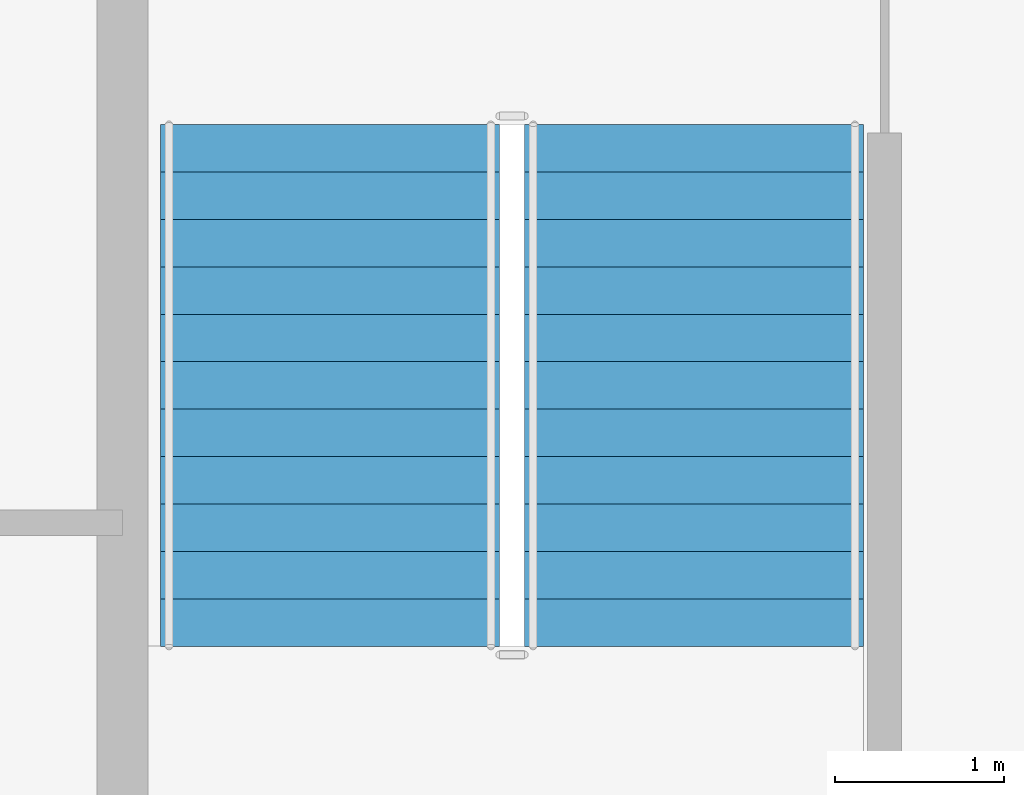
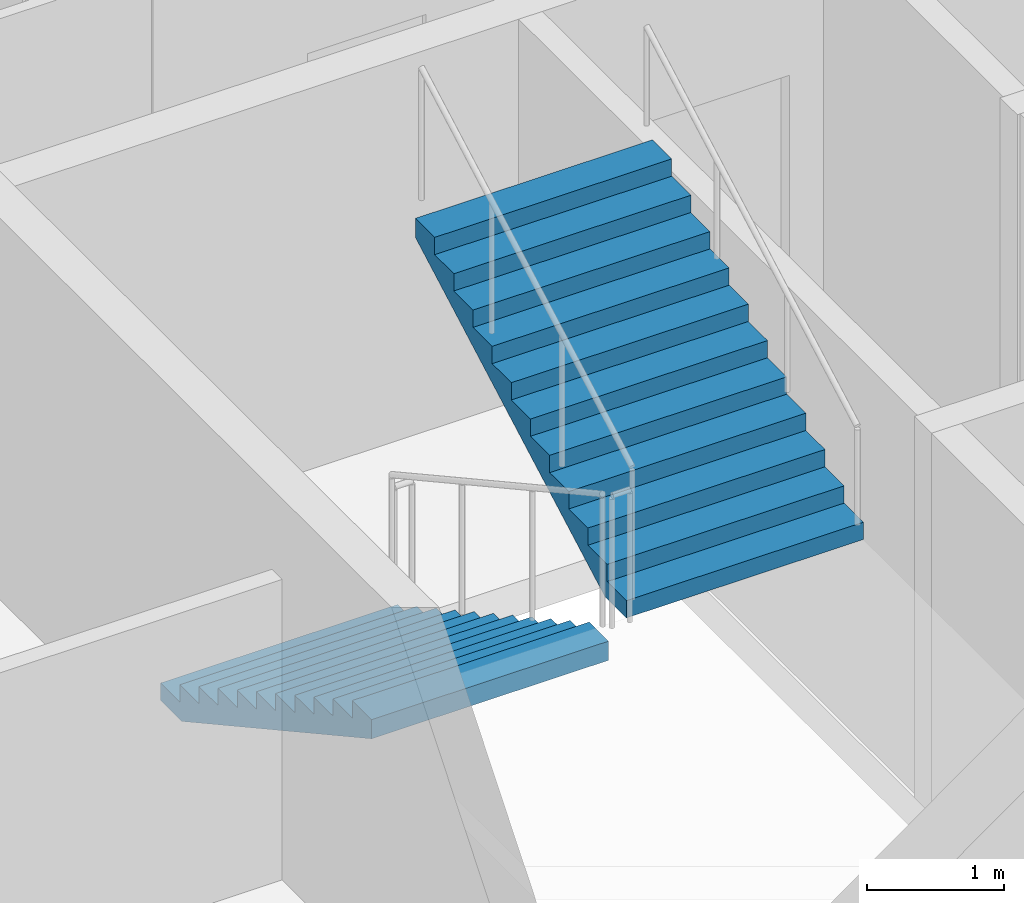
# One storey, part 10 of 13: 2 stair flights, 1 element without a shape of its own.
"""IFC4 building model written with IfcOpenShell, lengths in metres."""

from ifc_helpers import new_model, si_unit, direction, frame, origin, place, context, subcontext, project, spatial, polygons, material, type_object, element, aggregate, save


model = new_model("IFC4")

# Units and contexts
model_context = context("Model", 3, precision=1e-05, world=origin(), true_north=direction((0.0, 1.0)))
body_context = subcontext(model_context, "Body", "Model", "MODEL_VIEW")
ifc_project = project(units=[si_unit("LENGTHUNIT", "METRE"), si_unit("AREAUNIT", "SQUARE_METRE"), si_unit("VOLUMEUNIT", "CUBIC_METRE"), si_unit("PLANEANGLEUNIT", "RADIAN"), si_unit("MASSUNIT", "GRAM", prefix="KILO")], contexts=[model_context])

# Site, building, storey
site_placement = place(None, origin())
site = spatial("IfcSite", under=ifc_project, at=site_placement, CompositionType="ELEMENT")
building_placement = place(site_placement, origin())
building = spatial("IfcBuilding", under=site, at=building_placement, Name="Caravel Reach Hotel and Residences", CompositionType="ELEMENT")
storey_placement = place(building_placement, frame((0.0, 0.0, 154.300048828125)))
storey = spatial("IfcBuildingStorey", under=building, at=storey_placement, Name="L38", CompositionType="ELEMENT", Elevation=154.300048828125)

# Stair, stair flights
ifc_material_1 = material(Name="Concrete C40", Category="concrete")
stair_type = type_object("IfcStairType", Name="Core stair", PredefinedType="HALF_TURN_STAIR", material=ifc_material_1)
stair_placement = place(storey_placement, origin())
stair = element("IfcStair", 1, at=stair_placement, inside=storey, type_object=stair_type, Name="L38 Exit stair A", PredefinedType="HALF_TURN_STAIR")
ifc_material_2 = material(Name="Concrete C40", Category="concrete")
stair_flight_type = type_object("IfcStairFlightType", Name="Core stair flight", PredefinedType="STRAIGHT", material=ifc_material_2)
stair_flight_1_placement = place(storey_placement, frame((19.22509765625, 29.35009765625, 0.0), z_axis=(0.0, 0.0, 1.0), x_axis=(0.0, -1.0, 0.0)))
stair_flight_1 = element("IfcStairFlight", 2, at=stair_flight_1_placement, type_object=stair_flight_type, Name="ST-A flight 1", NumberOfRisers=12, NumberOfTreads=11, PredefinedType="STRAIGHT", RiserHeight=0.154166667, TreadLength=0.28, context=body_context, shape_type="Tessellation", body=[
    polygons([(0.3107950034306102, 1.0, 0.0), (0.3107950034306102, 0.6666666666666667, 0.0), (0.3107950034306102, 0.33333333333333337, 0.0), (0.3107950034306102, 0.0, 0.0), (0.3107950034306102, -0.33333333333333326, 0.0), (0.3107950034306102, -0.6666666666666667, 0.0), (0.3107950034306102, -1.0, 0.0), (3.081, 1.0, 1.524711087717319), (3.081, 0.6666666666666667, 1.524711087717319), (3.081, 0.33333333333333337, 1.524711087717319), (3.081, 0.0, 1.524711087717319), (3.081, -0.33333333333333326, 1.524711087717319), (3.081, -0.6666666666666667, 1.524711087717319), (3.081, -1.0, 1.524711087717319), (3.081, 1.0, 1.695833337), (3.081, 0.6666666666666667, 1.695833337), (3.081, 0.33333333333333337, 1.695833337), (3.081, 0.0, 1.695833337), (3.081, -0.33333333333333326, 1.695833337), (3.081, -0.6666666666666667, 1.695833337), (3.081, -1.0, 1.695833337), (2.8000000000000003, 1.0, 1.695833337), (2.8000000000000003, 0.6666666666666667, 1.695833337), (2.8000000000000003, 0.33333333333333337, 1.695833337), (2.8000000000000003, 0.0, 1.695833337), (2.8000000000000003, -0.33333333333333326, 1.695833337), (2.8000000000000003, -0.6666666666666667, 1.695833337), (2.8000000000000003, -1.0, 1.695833337), (2.8000000000000003, 1.0, 1.5416666700000001), (2.8000000000000003, 0.6666666666666667, 1.5416666700000001), (2.8000000000000003, 0.33333333333333337, 1.5416666700000001), (2.8000000000000003, 0.0, 1.5416666700000001), (2.8000000000000003, -0.33333333333333326, 1.5416666700000001), (2.8000000000000003, -0.6666666666666667, 1.5416666700000001), (2.8000000000000003, -1.0, 1.5416666700000001), (2.5200000000000005, 1.0, 1.5416666700000001), (2.5200000000000005, 0.6666666666666667, 1.5416666700000001), (2.5200000000000005, 0.33333333333333337, 1.5416666700000001), (2.5200000000000005, 0.0, 1.5416666700000001), (2.5200000000000005, -0.33333333333333326, 1.5416666700000001), (2.5200000000000005, -0.6666666666666667, 1.5416666700000001), (2.5200000000000005, -1.0, 1.5416666700000001), (2.5200000000000005, 1.0, 1.387500003), (2.5200000000000005, 0.6666666666666667, 1.387500003), (2.5200000000000005, 0.33333333333333337, 1.387500003), (2.5200000000000005, 0.0, 1.387500003), (2.5200000000000005, -0.33333333333333326, 1.387500003), (2.5200000000000005, -0.6666666666666667, 1.387500003), (2.5200000000000005, -1.0, 1.387500003), (2.24, 1.0, 1.387500003), (2.24, 0.6666666666666667, 1.387500003), (2.24, 0.33333333333333337, 1.387500003), (2.24, 0.0, 1.387500003), (2.24, -0.33333333333333326, 1.387500003), (2.24, -0.6666666666666667, 1.387500003), (2.24, -1.0, 1.387500003), (2.24, 1.0, 1.233333336), (2.24, 0.6666666666666667, 1.233333336), (2.24, 0.33333333333333337, 1.233333336), (2.24, 0.0, 1.233333336), (2.24, -0.33333333333333326, 1.233333336), (2.24, -0.6666666666666667, 1.233333336), (2.24, -1.0, 1.233333336), (1.9600000000000002, 1.0, 1.233333336), (1.9600000000000002, 0.6666666666666667, 1.233333336), (1.9600000000000002, 0.33333333333333337, 1.233333336), (1.9600000000000002, 0.0, 1.233333336), (1.9600000000000002, -0.33333333333333326, 1.233333336), (1.9600000000000002, -0.6666666666666667, 1.233333336), (1.9600000000000002, -1.0, 1.233333336), (1.9600000000000002, 1.0, 1.0791666690000001), (1.9600000000000002, 0.6666666666666667, 1.0791666690000001), (1.9600000000000002, 0.33333333333333337, 1.0791666690000001), (1.9600000000000002, 0.0, 1.0791666690000001), (1.9600000000000002, -0.33333333333333326, 1.0791666690000001), (1.9600000000000002, -0.6666666666666667, 1.0791666690000001), (1.9600000000000002, -1.0, 1.0791666690000001), (1.6800000000000002, 1.0, 1.0791666690000001), (1.6800000000000002, 0.6666666666666667, 1.0791666690000001), (1.6800000000000002, 0.33333333333333337, 1.0791666690000001), (1.6800000000000002, 0.0, 1.0791666690000001), (1.6800000000000002, -0.33333333333333326, 1.0791666690000001), (1.6800000000000002, -0.6666666666666667, 1.0791666690000001), (1.6800000000000002, -1.0, 1.0791666690000001), (1.6800000000000002, 1.0, 0.925000002), (1.6800000000000002, 0.6666666666666667, 0.925000002), (1.6800000000000002, 0.33333333333333337, 0.925000002), (1.6800000000000002, 0.0, 0.925000002), (1.6800000000000002, -0.33333333333333326, 0.925000002), (1.6800000000000002, -0.6666666666666667, 0.925000002), (1.6800000000000002, -1.0, 0.925000002), (1.4000000000000001, 1.0, 0.925000002), (1.4000000000000001, 0.6666666666666667, 0.925000002), (1.4000000000000001, 0.33333333333333337, 0.925000002), (1.4000000000000001, 0.0, 0.925000002), (1.4000000000000001, -0.33333333333333326, 0.925000002), (1.4000000000000001, -0.6666666666666667, 0.925000002), (1.4000000000000001, -1.0, 0.925000002), (1.4000000000000001, 1.0, 0.7708333350000001), (1.4000000000000001, 0.6666666666666667, 0.7708333350000001), (1.4000000000000001, 0.33333333333333337, 0.7708333350000001), (1.4000000000000001, 0.0, 0.7708333350000001), (1.4000000000000001, -0.33333333333333326, 0.7708333350000001), (1.4000000000000001, -0.6666666666666667, 0.7708333350000001), (1.4000000000000001, -1.0, 0.7708333350000001), (1.12, 1.0, 0.7708333350000001), (1.12, 0.6666666666666667, 0.7708333350000001), (1.12, 0.33333333333333337, 0.7708333350000001), (1.12, 0.0, 0.7708333350000001), (1.12, -0.33333333333333326, 0.7708333350000001), (1.12, -0.6666666666666667, 0.7708333350000001), (1.12, -1.0, 0.7708333350000001), (1.12, 1.0, 0.616666668), (1.12, 0.6666666666666667, 0.616666668), (1.12, 0.33333333333333337, 0.616666668), (1.12, 0.0, 0.616666668), (1.12, -0.33333333333333326, 0.616666668), (1.12, -0.6666666666666667, 0.616666668), (1.12, -1.0, 0.616666668), (0.8400000000000001, 1.0, 0.616666668), (0.8400000000000001, 0.6666666666666667, 0.616666668), (0.8400000000000001, 0.33333333333333337, 0.616666668), (0.8400000000000001, 0.0, 0.616666668), (0.8400000000000001, -0.33333333333333326, 0.616666668), (0.8400000000000001, -0.6666666666666667, 0.616666668), (0.8400000000000001, -1.0, 0.616666668), (0.8400000000000001, 1.0, 0.462500001), (0.8400000000000001, 0.6666666666666667, 0.462500001), (0.8400000000000001, 0.33333333333333337, 0.462500001), (0.8400000000000001, 0.0, 0.462500001), (0.8400000000000001, -0.33333333333333326, 0.462500001), (0.8400000000000001, -0.6666666666666667, 0.462500001), (0.8400000000000001, -1.0, 0.462500001), (0.56, 1.0, 0.462500001), (0.56, 0.6666666666666667, 0.462500001), (0.56, 0.33333333333333337, 0.462500001), (0.56, 0.0, 0.462500001), (0.56, -0.33333333333333326, 0.462500001), (0.56, -0.6666666666666667, 0.462500001), (0.56, -1.0, 0.462500001), (0.56, 1.0, 0.308333334), (0.56, 0.6666666666666667, 0.308333334), (0.56, 0.33333333333333337, 0.308333334), (0.56, 0.0, 0.308333334), (0.56, -0.33333333333333326, 0.308333334), (0.56, -0.6666666666666667, 0.308333334), (0.56, -1.0, 0.308333334), (0.28, 1.0, 0.308333334), (0.28, 0.6666666666666667, 0.308333334), (0.28, 0.33333333333333337, 0.308333334), (0.28, 0.0, 0.308333334), (0.28, -0.33333333333333326, 0.308333334), (0.28, -0.6666666666666667, 0.308333334), (0.28, -1.0, 0.308333334), (0.28, 1.0, 0.154166667), (0.28, 0.6666666666666667, 0.154166667), (0.28, 0.33333333333333337, 0.154166667), (0.28, 0.0, 0.154166667), (0.28, -0.33333333333333326, 0.154166667), (0.28, -0.6666666666666667, 0.154166667), (0.28, -1.0, 0.154166667), (-0.001, 1.0, 0.154166667), (-0.001, 0.6666666666666667, 0.154166667), (-0.001, 0.33333333333333337, 0.154166667), (-0.001, 0.0, 0.154166667), (-0.001, -0.33333333333333326, 0.154166667), (-0.001, -0.6666666666666667, 0.154166667), (-0.001, -1.0, 0.154166667), (-0.001, 1.0, 0.0), (-0.001, 0.6666666666666667, 0.0), (-0.001, 0.33333333333333337, 0.0), (-0.001, 0.0, 0.0), (-0.001, -0.33333333333333326, 0.0), (-0.001, -0.6666666666666667, 0.0), (-0.001, -1.0, 0.0)], [[[169, 162, 155, 148, 141, 134, 127, 120, 113, 106, 99, 92, 85, 78, 71, 64, 57, 50, 43, 36, 29, 22, 15, 8, 1]], [[7, 14, 21, 28, 35, 42, 49, 56, 63, 70, 77, 84, 91, 98, 105, 112, 119, 126, 133, 140, 147, 154, 161, 168, 175]], [[1, 8, 9, 2]], [[2, 9, 10, 3]], [[3, 10, 11, 4]], [[4, 11, 12, 5]], [[5, 12, 13, 6]], [[6, 13, 14, 7]], [[8, 15, 16, 9]], [[9, 16, 17, 10]], [[10, 17, 18, 11]], [[11, 18, 19, 12]], [[12, 19, 20, 13]], [[13, 20, 21, 14]], [[15, 22, 23, 16]], [[16, 23, 24, 17]], [[17, 24, 25, 18]], [[18, 25, 26, 19]], [[19, 26, 27, 20]], [[20, 27, 28, 21]], [[22, 29, 30, 23]], [[23, 30, 31, 24]], [[24, 31, 32, 25]], [[25, 32, 33, 26]], [[26, 33, 34, 27]], [[27, 34, 35, 28]], [[29, 36, 37, 30]], [[30, 37, 38, 31]], [[31, 38, 39, 32]], [[32, 39, 40, 33]], [[33, 40, 41, 34]], [[34, 41, 42, 35]], [[36, 43, 44, 37]], [[37, 44, 45, 38]], [[38, 45, 46, 39]], [[39, 46, 47, 40]], [[40, 47, 48, 41]], [[41, 48, 49, 42]], [[43, 50, 51, 44]], [[44, 51, 52, 45]], [[45, 52, 53, 46]], [[46, 53, 54, 47]], [[47, 54, 55, 48]], [[48, 55, 56, 49]], [[50, 57, 58, 51]], [[51, 58, 59, 52]], [[52, 59, 60, 53]], [[53, 60, 61, 54]], [[54, 61, 62, 55]], [[55, 62, 63, 56]], [[57, 64, 65, 58]], [[58, 65, 66, 59]], [[59, 66, 67, 60]], [[60, 67, 68, 61]], [[61, 68, 69, 62]], [[62, 69, 70, 63]], [[64, 71, 72, 65]], [[65, 72, 73, 66]], [[66, 73, 74, 67]], [[67, 74, 75, 68]], [[68, 75, 76, 69]], [[69, 76, 77, 70]], [[71, 78, 79, 72]], [[72, 79, 80, 73]], [[73, 80, 81, 74]], [[74, 81, 82, 75]], [[75, 82, 83, 76]], [[76, 83, 84, 77]], [[78, 85, 86, 79]], [[79, 86, 87, 80]], [[80, 87, 88, 81]], [[81, 88, 89, 82]], [[82, 89, 90, 83]], [[83, 90, 91, 84]], [[85, 92, 93, 86]], [[86, 93, 94, 87]], [[87, 94, 95, 88]], [[88, 95, 96, 89]], [[89, 96, 97, 90]], [[90, 97, 98, 91]], [[92, 99, 100, 93]], [[93, 100, 101, 94]], [[94, 101, 102, 95]], [[95, 102, 103, 96]], [[96, 103, 104, 97]], [[97, 104, 105, 98]], [[99, 106, 107, 100]], [[100, 107, 108, 101]], [[101, 108, 109, 102]], [[102, 109, 110, 103]], [[103, 110, 111, 104]], [[104, 111, 112, 105]], [[106, 113, 114, 107]], [[107, 114, 115, 108]], [[108, 115, 116, 109]], [[109, 116, 117, 110]], [[110, 117, 118, 111]], [[111, 118, 119, 112]], [[113, 120, 121, 114]], [[114, 121, 122, 115]], [[115, 122, 123, 116]], [[116, 123, 124, 117]], [[117, 124, 125, 118]], [[118, 125, 126, 119]], [[120, 127, 128, 121]], [[121, 128, 129, 122]], [[122, 129, 130, 123]], [[123, 130, 131, 124]], [[124, 131, 132, 125]], [[125, 132, 133, 126]], [[127, 134, 135, 128]], [[128, 135, 136, 129]], [[129, 136, 137, 130]], [[130, 137, 138, 131]], [[131, 138, 139, 132]], [[132, 139, 140, 133]], [[134, 141, 142, 135]], [[135, 142, 143, 136]], [[136, 143, 144, 137]], [[137, 144, 145, 138]], [[138, 145, 146, 139]], [[139, 146, 147, 140]], [[141, 148, 149, 142]], [[142, 149, 150, 143]], [[143, 150, 151, 144]], [[144, 151, 152, 145]], [[145, 152, 153, 146]], [[146, 153, 154, 147]], [[148, 155, 156, 149]], [[149, 156, 157, 150]], [[150, 157, 158, 151]], [[151, 158, 159, 152]], [[152, 159, 160, 153]], [[153, 160, 161, 154]], [[155, 162, 163, 156]], [[156, 163, 164, 157]], [[157, 164, 165, 158]], [[158, 165, 166, 159]], [[159, 166, 167, 160]], [[160, 167, 168, 161]], [[162, 169, 170, 163]], [[163, 170, 171, 164]], [[164, 171, 172, 165]], [[165, 172, 173, 166]], [[166, 173, 174, 167]], [[167, 174, 175, 168]], [[169, 1, 2, 170]], [[170, 2, 3, 171]], [[171, 3, 4, 172]], [[172, 4, 5, 173]], [[173, 5, 6, 174]], [[174, 6, 7, 175]]], closed=True),
])
stair_flight_2_placement = place(storey_placement, frame((21.375, 26.27001953125, 1.849853515625), z_axis=(0.0, 0.0, 1.0), x_axis=(0.0, 1.0, 0.0)))
stair_flight_2 = element("IfcStairFlight", 3, at=stair_flight_2_placement, type_object=stair_flight_type, Name="ST-A flight 2", NumberOfRisers=12, NumberOfTreads=11, PredefinedType="STRAIGHT", RiserHeight=0.154166667, TreadLength=0.28, context=body_context, shape_type="Tessellation", body=[
    polygons([(0.3107950034306102, 1.0, 0.0), (0.3107950034306102, 0.6666666666666667, 0.0), (0.3107950034306102, 0.33333333333333337, 0.0), (0.3107950034306102, 0.0, 0.0), (0.3107950034306102, -0.33333333333333326, 0.0), (0.3107950034306102, -0.6666666666666667, 0.0), (0.3107950034306102, -1.0, 0.0), (3.081, 1.0, 1.524711087717319), (3.081, 0.6666666666666667, 1.524711087717319), (3.081, 0.33333333333333337, 1.524711087717319), (3.081, 0.0, 1.524711087717319), (3.081, -0.33333333333333326, 1.524711087717319), (3.081, -0.6666666666666667, 1.524711087717319), (3.081, -1.0, 1.524711087717319), (3.081, 1.0, 1.695833337), (3.081, 0.6666666666666667, 1.695833337), (3.081, 0.33333333333333337, 1.695833337), (3.081, 0.0, 1.695833337), (3.081, -0.33333333333333326, 1.695833337), (3.081, -0.6666666666666667, 1.695833337), (3.081, -1.0, 1.695833337), (2.8000000000000003, 1.0, 1.695833337), (2.8000000000000003, 0.6666666666666667, 1.695833337), (2.8000000000000003, 0.33333333333333337, 1.695833337), (2.8000000000000003, 0.0, 1.695833337), (2.8000000000000003, -0.33333333333333326, 1.695833337), (2.8000000000000003, -0.6666666666666667, 1.695833337), (2.8000000000000003, -1.0, 1.695833337), (2.8000000000000003, 1.0, 1.5416666700000001), (2.8000000000000003, 0.6666666666666667, 1.5416666700000001), (2.8000000000000003, 0.33333333333333337, 1.5416666700000001), (2.8000000000000003, 0.0, 1.5416666700000001), (2.8000000000000003, -0.33333333333333326, 1.5416666700000001), (2.8000000000000003, -0.6666666666666667, 1.5416666700000001), (2.8000000000000003, -1.0, 1.5416666700000001), (2.5200000000000005, 1.0, 1.5416666700000001), (2.5200000000000005, 0.6666666666666667, 1.5416666700000001), (2.5200000000000005, 0.33333333333333337, 1.5416666700000001), (2.5200000000000005, 0.0, 1.5416666700000001), (2.5200000000000005, -0.33333333333333326, 1.5416666700000001), (2.5200000000000005, -0.6666666666666667, 1.5416666700000001), (2.5200000000000005, -1.0, 1.5416666700000001), (2.5200000000000005, 1.0, 1.387500003), (2.5200000000000005, 0.6666666666666667, 1.387500003), (2.5200000000000005, 0.33333333333333337, 1.387500003), (2.5200000000000005, 0.0, 1.387500003), (2.5200000000000005, -0.33333333333333326, 1.387500003), (2.5200000000000005, -0.6666666666666667, 1.387500003), (2.5200000000000005, -1.0, 1.387500003), (2.24, 1.0, 1.387500003), (2.24, 0.6666666666666667, 1.387500003), (2.24, 0.33333333333333337, 1.387500003), (2.24, 0.0, 1.387500003), (2.24, -0.33333333333333326, 1.387500003), (2.24, -0.6666666666666667, 1.387500003), (2.24, -1.0, 1.387500003), (2.24, 1.0, 1.233333336), (2.24, 0.6666666666666667, 1.233333336), (2.24, 0.33333333333333337, 1.233333336), (2.24, 0.0, 1.233333336), (2.24, -0.33333333333333326, 1.233333336), (2.24, -0.6666666666666667, 1.233333336), (2.24, -1.0, 1.233333336), (1.9600000000000002, 1.0, 1.233333336), (1.9600000000000002, 0.6666666666666667, 1.233333336), (1.9600000000000002, 0.33333333333333337, 1.233333336), (1.9600000000000002, 0.0, 1.233333336), (1.9600000000000002, -0.33333333333333326, 1.233333336), (1.9600000000000002, -0.6666666666666667, 1.233333336), (1.9600000000000002, -1.0, 1.233333336), (1.9600000000000002, 1.0, 1.0791666690000001), (1.9600000000000002, 0.6666666666666667, 1.0791666690000001), (1.9600000000000002, 0.33333333333333337, 1.0791666690000001), (1.9600000000000002, 0.0, 1.0791666690000001), (1.9600000000000002, -0.33333333333333326, 1.0791666690000001), (1.9600000000000002, -0.6666666666666667, 1.0791666690000001), (1.9600000000000002, -1.0, 1.0791666690000001), (1.6800000000000002, 1.0, 1.0791666690000001), (1.6800000000000002, 0.6666666666666667, 1.0791666690000001), (1.6800000000000002, 0.33333333333333337, 1.0791666690000001), (1.6800000000000002, 0.0, 1.0791666690000001), (1.6800000000000002, -0.33333333333333326, 1.0791666690000001), (1.6800000000000002, -0.6666666666666667, 1.0791666690000001), (1.6800000000000002, -1.0, 1.0791666690000001), (1.6800000000000002, 1.0, 0.925000002), (1.6800000000000002, 0.6666666666666667, 0.925000002), (1.6800000000000002, 0.33333333333333337, 0.925000002), (1.6800000000000002, 0.0, 0.925000002), (1.6800000000000002, -0.33333333333333326, 0.925000002), (1.6800000000000002, -0.6666666666666667, 0.925000002), (1.6800000000000002, -1.0, 0.925000002), (1.4000000000000001, 1.0, 0.925000002), (1.4000000000000001, 0.6666666666666667, 0.925000002), (1.4000000000000001, 0.33333333333333337, 0.925000002), (1.4000000000000001, 0.0, 0.925000002), (1.4000000000000001, -0.33333333333333326, 0.925000002), (1.4000000000000001, -0.6666666666666667, 0.925000002), (1.4000000000000001, -1.0, 0.925000002), (1.4000000000000001, 1.0, 0.7708333350000001), (1.4000000000000001, 0.6666666666666667, 0.7708333350000001), (1.4000000000000001, 0.33333333333333337, 0.7708333350000001), (1.4000000000000001, 0.0, 0.7708333350000001), (1.4000000000000001, -0.33333333333333326, 0.7708333350000001), (1.4000000000000001, -0.6666666666666667, 0.7708333350000001), (1.4000000000000001, -1.0, 0.7708333350000001), (1.12, 1.0, 0.7708333350000001), (1.12, 0.6666666666666667, 0.7708333350000001), (1.12, 0.33333333333333337, 0.7708333350000001), (1.12, 0.0, 0.7708333350000001), (1.12, -0.33333333333333326, 0.7708333350000001), (1.12, -0.6666666666666667, 0.7708333350000001), (1.12, -1.0, 0.7708333350000001), (1.12, 1.0, 0.616666668), (1.12, 0.6666666666666667, 0.616666668), (1.12, 0.33333333333333337, 0.616666668), (1.12, 0.0, 0.616666668), (1.12, -0.33333333333333326, 0.616666668), (1.12, -0.6666666666666667, 0.616666668), (1.12, -1.0, 0.616666668), (0.8400000000000001, 1.0, 0.616666668), (0.8400000000000001, 0.6666666666666667, 0.616666668), (0.8400000000000001, 0.33333333333333337, 0.616666668), (0.8400000000000001, 0.0, 0.616666668), (0.8400000000000001, -0.33333333333333326, 0.616666668), (0.8400000000000001, -0.6666666666666667, 0.616666668), (0.8400000000000001, -1.0, 0.616666668), (0.8400000000000001, 1.0, 0.462500001), (0.8400000000000001, 0.6666666666666667, 0.462500001), (0.8400000000000001, 0.33333333333333337, 0.462500001), (0.8400000000000001, 0.0, 0.462500001), (0.8400000000000001, -0.33333333333333326, 0.462500001), (0.8400000000000001, -0.6666666666666667, 0.462500001), (0.8400000000000001, -1.0, 0.462500001), (0.56, 1.0, 0.462500001), (0.56, 0.6666666666666667, 0.462500001), (0.56, 0.33333333333333337, 0.462500001), (0.56, 0.0, 0.462500001), (0.56, -0.33333333333333326, 0.462500001), (0.56, -0.6666666666666667, 0.462500001), (0.56, -1.0, 0.462500001), (0.56, 1.0, 0.308333334), (0.56, 0.6666666666666667, 0.308333334), (0.56, 0.33333333333333337, 0.308333334), (0.56, 0.0, 0.308333334), (0.56, -0.33333333333333326, 0.308333334), (0.56, -0.6666666666666667, 0.308333334), (0.56, -1.0, 0.308333334), (0.28, 1.0, 0.308333334), (0.28, 0.6666666666666667, 0.308333334), (0.28, 0.33333333333333337, 0.308333334), (0.28, 0.0, 0.308333334), (0.28, -0.33333333333333326, 0.308333334), (0.28, -0.6666666666666667, 0.308333334), (0.28, -1.0, 0.308333334), (0.28, 1.0, 0.154166667), (0.28, 0.6666666666666667, 0.154166667), (0.28, 0.33333333333333337, 0.154166667), (0.28, 0.0, 0.154166667), (0.28, -0.33333333333333326, 0.154166667), (0.28, -0.6666666666666667, 0.154166667), (0.28, -1.0, 0.154166667), (-0.001, 1.0, 0.154166667), (-0.001, 0.6666666666666667, 0.154166667), (-0.001, 0.33333333333333337, 0.154166667), (-0.001, 0.0, 0.154166667), (-0.001, -0.33333333333333326, 0.154166667), (-0.001, -0.6666666666666667, 0.154166667), (-0.001, -1.0, 0.154166667), (-0.001, 1.0, 0.0), (-0.001, 0.6666666666666667, 0.0), (-0.001, 0.33333333333333337, 0.0), (-0.001, 0.0, 0.0), (-0.001, -0.33333333333333326, 0.0), (-0.001, -0.6666666666666667, 0.0), (-0.001, -1.0, 0.0)], [[[169, 162, 155, 148, 141, 134, 127, 120, 113, 106, 99, 92, 85, 78, 71, 64, 57, 50, 43, 36, 29, 22, 15, 8, 1]], [[7, 14, 21, 28, 35, 42, 49, 56, 63, 70, 77, 84, 91, 98, 105, 112, 119, 126, 133, 140, 147, 154, 161, 168, 175]], [[1, 8, 9, 2]], [[2, 9, 10, 3]], [[3, 10, 11, 4]], [[4, 11, 12, 5]], [[5, 12, 13, 6]], [[6, 13, 14, 7]], [[8, 15, 16, 9]], [[9, 16, 17, 10]], [[10, 17, 18, 11]], [[11, 18, 19, 12]], [[12, 19, 20, 13]], [[13, 20, 21, 14]], [[15, 22, 23, 16]], [[16, 23, 24, 17]], [[17, 24, 25, 18]], [[18, 25, 26, 19]], [[19, 26, 27, 20]], [[20, 27, 28, 21]], [[22, 29, 30, 23]], [[23, 30, 31, 24]], [[24, 31, 32, 25]], [[25, 32, 33, 26]], [[26, 33, 34, 27]], [[27, 34, 35, 28]], [[29, 36, 37, 30]], [[30, 37, 38, 31]], [[31, 38, 39, 32]], [[32, 39, 40, 33]], [[33, 40, 41, 34]], [[34, 41, 42, 35]], [[36, 43, 44, 37]], [[37, 44, 45, 38]], [[38, 45, 46, 39]], [[39, 46, 47, 40]], [[40, 47, 48, 41]], [[41, 48, 49, 42]], [[43, 50, 51, 44]], [[44, 51, 52, 45]], [[45, 52, 53, 46]], [[46, 53, 54, 47]], [[47, 54, 55, 48]], [[48, 55, 56, 49]], [[50, 57, 58, 51]], [[51, 58, 59, 52]], [[52, 59, 60, 53]], [[53, 60, 61, 54]], [[54, 61, 62, 55]], [[55, 62, 63, 56]], [[57, 64, 65, 58]], [[58, 65, 66, 59]], [[59, 66, 67, 60]], [[60, 67, 68, 61]], [[61, 68, 69, 62]], [[62, 69, 70, 63]], [[64, 71, 72, 65]], [[65, 72, 73, 66]], [[66, 73, 74, 67]], [[67, 74, 75, 68]], [[68, 75, 76, 69]], [[69, 76, 77, 70]], [[71, 78, 79, 72]], [[72, 79, 80, 73]], [[73, 80, 81, 74]], [[74, 81, 82, 75]], [[75, 82, 83, 76]], [[76, 83, 84, 77]], [[78, 85, 86, 79]], [[79, 86, 87, 80]], [[80, 87, 88, 81]], [[81, 88, 89, 82]], [[82, 89, 90, 83]], [[83, 90, 91, 84]], [[85, 92, 93, 86]], [[86, 93, 94, 87]], [[87, 94, 95, 88]], [[88, 95, 96, 89]], [[89, 96, 97, 90]], [[90, 97, 98, 91]], [[92, 99, 100, 93]], [[93, 100, 101, 94]], [[94, 101, 102, 95]], [[95, 102, 103, 96]], [[96, 103, 104, 97]], [[97, 104, 105, 98]], [[99, 106, 107, 100]], [[100, 107, 108, 101]], [[101, 108, 109, 102]], [[102, 109, 110, 103]], [[103, 110, 111, 104]], [[104, 111, 112, 105]], [[106, 113, 114, 107]], [[107, 114, 115, 108]], [[108, 115, 116, 109]], [[109, 116, 117, 110]], [[110, 117, 118, 111]], [[111, 118, 119, 112]], [[113, 120, 121, 114]], [[114, 121, 122, 115]], [[115, 122, 123, 116]], [[116, 123, 124, 117]], [[117, 124, 125, 118]], [[118, 125, 126, 119]], [[120, 127, 128, 121]], [[121, 128, 129, 122]], [[122, 129, 130, 123]], [[123, 130, 131, 124]], [[124, 131, 132, 125]], [[125, 132, 133, 126]], [[127, 134, 135, 128]], [[128, 135, 136, 129]], [[129, 136, 137, 130]], [[130, 137, 138, 131]], [[131, 138, 139, 132]], [[132, 139, 140, 133]], [[134, 141, 142, 135]], [[135, 142, 143, 136]], [[136, 143, 144, 137]], [[137, 144, 145, 138]], [[138, 145, 146, 139]], [[139, 146, 147, 140]], [[141, 148, 149, 142]], [[142, 149, 150, 143]], [[143, 150, 151, 144]], [[144, 151, 152, 145]], [[145, 152, 153, 146]], [[146, 153, 154, 147]], [[148, 155, 156, 149]], [[149, 156, 157, 150]], [[150, 157, 158, 151]], [[151, 158, 159, 152]], [[152, 159, 160, 153]], [[153, 160, 161, 154]], [[155, 162, 163, 156]], [[156, 163, 164, 157]], [[157, 164, 165, 158]], [[158, 165, 166, 159]], [[159, 166, 167, 160]], [[160, 167, 168, 161]], [[162, 169, 170, 163]], [[163, 170, 171, 164]], [[164, 171, 172, 165]], [[165, 172, 173, 166]], [[166, 173, 174, 167]], [[167, 174, 175, 168]], [[169, 1, 2, 170]], [[170, 2, 3, 171]], [[171, 3, 4, 172]], [[172, 4, 5, 173]], [[173, 5, 6, 174]], [[174, 6, 7, 175]]], closed=True),
])
aggregate(stair, [stair_flight_1, stair_flight_2])

save(model, "model.ifc")
